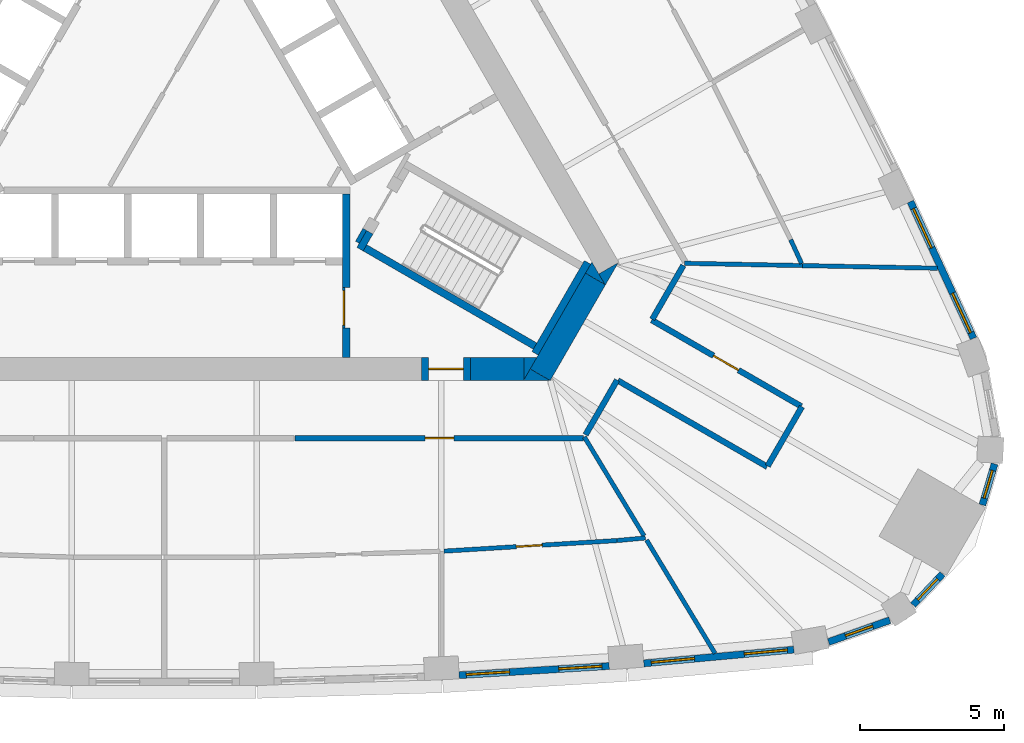
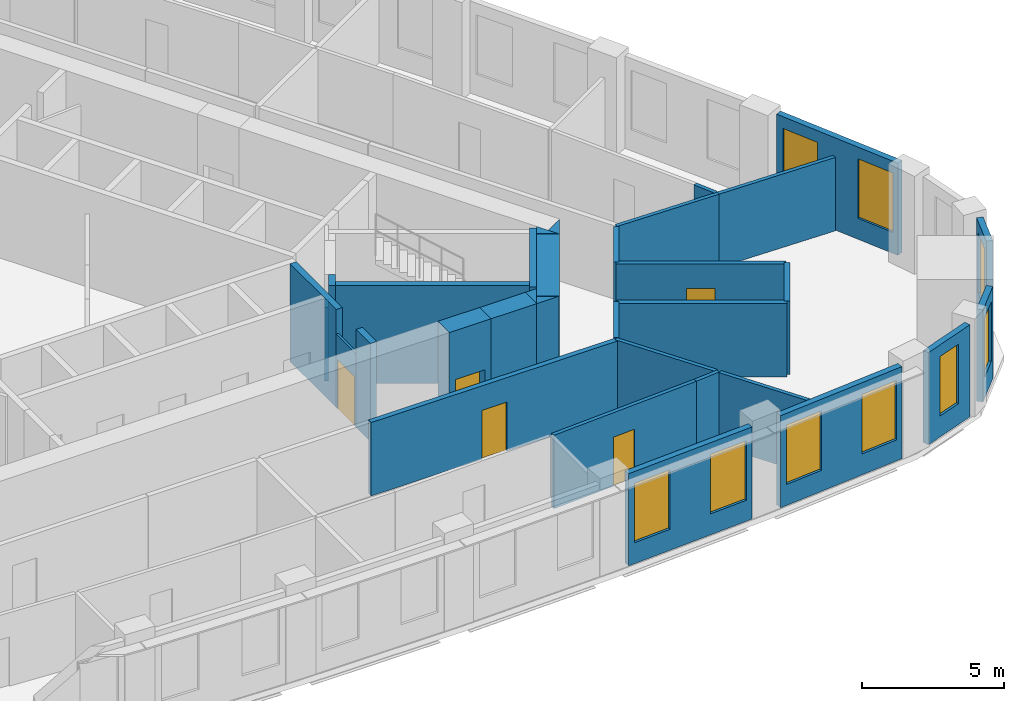
# One storey, part 6 of 10: 33 walls, 9 windows, 5 doors, 14 openings.
"""IFC4 building model written with IfcOpenShell, lengths in metres."""

from ifc_helpers import new_model, si_unit, direction, frame, frame_2d, origin, place, context, subcontext, project, spatial, polyline, rectangle, outline, extrude, material, layer, layer_set, type_object, element, fill, save


model = new_model("IFC4")

# Units and contexts
model_context = context("Model", 3, precision=1e-05, world=origin(), true_north=direction((0.0, 1.0)))
body_context = subcontext(model_context, "Body", "Model", "MODEL_VIEW")
ifc_project = project(units=[si_unit("LENGTHUNIT", "METRE"), si_unit("AREAUNIT", "SQUARE_METRE"), si_unit("VOLUMEUNIT", "CUBIC_METRE"), si_unit("PLANEANGLEUNIT", "RADIAN"), si_unit("MASSUNIT", "GRAM", prefix="KILO")], contexts=[model_context])

# Site, building, storey
site_placement = place(None, origin())
site = spatial("IfcSite", under=ifc_project, at=site_placement, CompositionType="ELEMENT")
building_placement = place(site_placement, origin())
building = spatial("IfcBuilding", under=site, at=building_placement, Name="Mestral Congress Tower", CompositionType="ELEMENT")
storey_placement = place(building_placement, frame((0.0, 0.0, 154.199951171875)))
storey = spatial("IfcBuildingStorey", under=building, at=storey_placement, Name="L36", CompositionType="ELEMENT", Elevation=154.199951171875)

# Wall
ifc_material_1 = material(Name="Fire-rated board partition")
ifc_layer_1 = layer(ifc_material_1, 0.14990234375)
ifc_layer_set_1 = layer_set([ifc_layer_1], Name="Fire-rated board partition")
wall_type_1 = type_object("IfcWallType", Name="Core partition 150", PredefinedType="PARTITIONING", material=ifc_layer_set_1)
wall_1_placement = place(storey_placement, frame((6.94482421875, -5.22216796875, 0.0), z_axis=(0.0, 0.0, 1.0), x_axis=(-0.499818422106, -0.866130212453, 0.0)))
element("IfcWall", 1, at=wall_1_placement, inside=storey, type_object=wall_type_1, Name="L36 core wall", PredefinedType="PARTITIONING", context=body_context, shape_type="SweptSolid", body=[
    extrude(rectangle(XDim=0.513916015625, YDim=0.14990234375, at=frame_2d((0.2568359375, 0.0))), origin(), (0.0, 0.0, 1.0), 3.150146484375),
])

# Wall, opening, door
ifc_layer_2 = layer(ifc_material_1, 0.090087890625)
ifc_layer_set_2 = layer_set([ifc_layer_2], Name="Fire-rated board partition")
wall_type_2 = type_object("IfcWallType", Name="Core partition 150 door-wall 90", PredefinedType="PARTITIONING", material=ifc_layer_set_2)
wall_2_placement = place(storey_placement, frame((6.219970703125, -7.23681640625, 0.0), z_axis=(0.0, 0.0, 1.0), x_axis=(0.0, -1.0, 0.0)))
wall_2 = element("IfcWall", 2, at=wall_2_placement, inside=storey, type_object=wall_type_2, Name="L36 door wall", PredefinedType="PARTITIONING", context=body_context, shape_type="SweptSolid", body=[
    extrude(rectangle(XDim=1.400146484375, YDim=0.090087890625, at=frame_2d((0.7001953125, 0.0))), origin(), (0.0, 0.0, 1.0), 3.150146484375),
])
opening_1_placement = place(wall_2_placement, frame((0.10009765625, 0.0, 0.0)))
opening_1 = element("IfcOpeningElement", 3, at=opening_1_placement, cuts=wall_2, Name="Opening LB0-WL1", PredefinedType="OPENING", context=body_context, shape_type="SweptSolid", body=[
    extrude(rectangle(XDim=1.199951171875, YDim=2.10009765625, at=frame_2d((0.60009765625, 1.050048828125))), frame((0.0, 0.054931640625, 0.0), z_axis=(0.0, -1.0, 0.0), x_axis=(1.0, 0.0, 0.0)), (0.0, 0.0, 1.0), 0.110107421875),
])
ifc_material_2 = material(Name="Fire-rated steel door set", Category="steel")
door_type_1 = type_object("IfcDoorType", Name="Core door LB 1200x2100", OperationType="SINGLE_SWING_LEFT", PredefinedType="DOOR", material=ifc_material_2)
door_1_placement = place(opening_1_placement, origin())
door_1 = element("IfcDoor", 4, at=door_1_placement, inside=storey, type_object=door_type_1, Name="Door LB0-WL1", OperationType="SINGLE_SWING_LEFT", OverallHeight=2.10009765625, OverallWidth=1.199951171875, PredefinedType="DOOR", context=body_context, shape_type="SweptSolid", body=[
    extrude(rectangle(XDim=1.199951171875, YDim=2.10009765625, at=frame_2d((0.60009765625, 1.050048828125))), frame((0.0, 0.02490234375, 0.0), z_axis=(0.0, -1.0, 0.0), x_axis=(1.0, 0.0, 0.0)), (0.0, 0.0, 1.0), 0.050048828125),
])
fill(opening_1, door_1)

# Walls
ifc_material_3 = material(Name="Concrete C60/75", Category="concrete")
ifc_layer_3 = layer(ifc_material_3, 0.800048828125)
ifc_layer_set_3 = layer_set([ifc_layer_3], Name="Concrete C60/75")
wall_type_3 = type_object("IfcWallType", Name="Core wall RC 800", PredefinedType="SOLIDWALL", material=ifc_layer_set_3)
placement = place(storey_placement, origin())
element("IfcWall", 5, at=placement, inside=storey, type_object=wall_type_3, Name="L36 core wall", PredefinedType="SOLIDWALL", context=body_context, shape_type="SweptSolid", body=[
    extrude(outline(polyline([(15.27099609375, -7.14990234375), (15.046875, -6.761962890625), (15.718994140625, -6.3740234375), (15.27099609375, -7.14990234375)])), origin(), (0.0, 0.0, 1.0), 4.199951171875),
])
wall_4_placement = place(storey_placement, frame((13.018310546875, -10.251708984375, 0.0), z_axis=(0.0, 0.0, 1.0), x_axis=(0.499984020225, 0.866034629516, 0.0)))
element("IfcWall", 6, at=wall_4_placement, inside=storey, type_object=wall_type_3, Name="L36 core wall", PredefinedType="SOLIDWALL", context=body_context, shape_type="SweptSolid", body=[
    extrude(rectangle(XDim=3.824462890625, YDim=0.800048828125, at=frame_2d((1.912109375, 0.0))), origin(), (0.0, 0.0, 1.0), 4.199951171875),
])
element("IfcWall", 7, at=placement, inside=storey, type_object=wall_type_3, Name="L36 core wall", PredefinedType="SOLIDWALL", context=body_context, shape_type="SweptSolid", body=[
    extrude(outline(polyline([(12.44189453125, -10.449951171875), (12.6708984375, -10.053466796875), (13.35791015625, -10.449951171875), (12.44189453125, -10.449951171875)])), origin(), (0.0, 0.0, 1.0), 4.199951171875),
])
element("IfcWall", 8, at=placement, inside=storey, type_object=wall_type_3, Name="L36 core wall", PredefinedType="SOLIDWALL", context=body_context, shape_type="SweptSolid", body=[
    extrude(outline(polyline([(14.80908203125, -6.35009765625), (15.257080078125, -7.1259765625), (14.5849609375, -6.738037109375), (14.80908203125, -6.35009765625)])), origin(), (0.0, 0.0, 1.0), 4.199951171875),
])
wall_7_placement = place(storey_placement, frame((10.6044921875, -10.050048828125, 0.0), z_axis=(0.0, 0.0, 1.0), x_axis=(1.0, 0.0, 0.0)))
element("IfcWall", 9, at=wall_7_placement, inside=storey, type_object=wall_type_3, Name="L36 core wall", PredefinedType="SOLIDWALL", context=body_context, shape_type="SweptSolid", body=[
    extrude(rectangle(XDim=1.849365234375, YDim=0.800048828125, at=frame_2d((0.9248046875, 0.0))), origin(), (0.0, 0.0, 1.0), 4.199951171875),
])
element("IfcWall", 10, at=placement, inside=storey, type_object=wall_type_3, Name="L36 core wall", PredefinedType="SOLIDWALL", context=body_context, shape_type="SweptSolid", body=[
    extrude(outline(polyline([(12.90380859375, -9.64990234375), (12.455810546875, -10.42578125), (12.455810546875, -9.64990234375), (12.90380859375, -9.64990234375)])), origin(), (0.0, 0.0, 1.0), 4.199951171875),
])

# Wall, opening, door
wall_9_placement = place(storey_placement, frame((10.6044921875, -10.050048828125, 0.0), z_axis=(0.0, 0.0, 1.0), x_axis=(-1.0, 0.0, 0.0)))
wall_9 = element("IfcWall", 11, at=wall_9_placement, inside=storey, type_object=wall_type_3, Name="L36 door wall", PredefinedType="SOLIDWALL", context=body_context, shape_type="SweptSolid", body=[
    extrude(rectangle(XDim=1.699951171875, YDim=0.800048828125, at=frame_2d((0.85009765625, 0.0))), origin(), (0.0, 0.0, 1.0), 4.199951171875),
])
opening_2_placement = place(wall_9_placement, frame((0.25, 0.0, 0.0)))
opening_2 = element("IfcOpeningElement", 12, at=opening_2_placement, cuts=wall_9, Name="Opening XD1", PredefinedType="OPENING", context=body_context, shape_type="SweptSolid", body=[
    extrude(rectangle(XDim=1.199951171875, YDim=2.10009765625, at=frame_2d((0.60009765625, 1.050048828125))), frame((0.0, 0.409912109375, 0.0), z_axis=(0.0, -1.0, 0.0), x_axis=(1.0, 0.0, 0.0)), (0.0, 0.0, 1.0), 0.820068359375),
])
door_type_2 = type_object("IfcDoorType", Name="Core door XD 1200x2100", OperationType="SINGLE_SWING_LEFT", PredefinedType="DOOR", material=ifc_material_2)
door_2_placement = place(opening_2_placement, origin())
door_2 = element("IfcDoor", 13, at=door_2_placement, inside=storey, type_object=door_type_2, Name="Door XD1", OperationType="SINGLE_SWING_LEFT", OverallHeight=2.10009765625, OverallWidth=1.199951171875, PredefinedType="DOOR", context=body_context, shape_type="SweptSolid", body=[
    extrude(rectangle(XDim=1.199951171875, YDim=2.10009765625, at=frame_2d((0.60009765625, 1.050048828125))), frame((0.0, 0.02490234375, 0.0), z_axis=(0.0, -1.0, 0.0), x_axis=(1.0, 0.0, 0.0)), (0.0, 0.0, 1.0), 0.050048828125),
])
fill(opening_2, door_2)

# Wall, openings, windows
ifc_material_4 = material(Name="Precast concrete C40/50 with limestone facing", Category="masonry")
ifc_layer_4 = layer(ifc_material_4, 0.239990234375)
ifc_layer_set_4 = layer_set([ifc_layer_4], Name="Precast concrete C40/50 with limestone facing")
wall_type_4 = type_object("IfcWallType", Name="Facade stone wall 240", PredefinedType="SOLIDWALL", material=ifc_layer_set_4)
wall_10_placement = place(storey_placement, frame((10.210693359375, -20.656005859375, 0.0), z_axis=(0.0, 0.0, 1.0), x_axis=(0.998135294646, 0.061040425794, 0.0)))
wall_10 = element("IfcWall", 14, at=wall_10_placement, inside=storey, type_object=wall_type_4, Name="Facade wall F0-05", PredefinedType="SOLIDWALL", context=body_context, shape_type="SweptSolid", body=[
    extrude(rectangle(XDim=5.20361328125, YDim=0.239990234375, at=frame_2d((2.601806640625, 0.0))), origin(), (0.0, 0.0, 1.0), 3.949951171875),
])
opening_3_placement = place(wall_10_placement, frame((0.248291015625, 0.0, 0.89990234375)))
opening_3 = element("IfcOpeningElement", 15, at=opening_3_placement, cuts=wall_10, Name="Opening W4", PredefinedType="OPENING", context=body_context, shape_type="SweptSolid", body=[
    extrude(rectangle(XDim=1.5, YDim=2.550048828125, at=frame_2d((0.75, 1.27490234375))), frame((0.0, 0.1298828125, 0.0), z_axis=(0.0, -1.0, 0.0), x_axis=(1.0, 0.0, 0.0)), (0.0, 0.0, 1.0), 0.260009765625),
])
opening_4_placement = place(wall_10_placement, frame((3.455078125, 0.0, 0.89990234375)))
opening_4 = element("IfcOpeningElement", 16, at=opening_4_placement, cuts=wall_10, Name="Opening W4", PredefinedType="OPENING", context=body_context, shape_type="SweptSolid", body=[
    extrude(rectangle(XDim=1.5, YDim=2.550048828125, at=frame_2d((0.75, 1.27490234375))), frame((0.0, 0.1298828125, 0.0), z_axis=(0.0, -1.0, 0.0), x_axis=(1.0, 0.0, 0.0)), (0.0, 0.0, 1.0), 0.260009765625),
])
ifc_material_5 = material(Name="Clear low-emissivity double glazing", Category="glass")
window_type_1 = type_object("IfcWindowType", Name="Facade punched window 1500 x 2550 sill 900", PartitioningType="SINGLE_PANEL", PredefinedType="WINDOW", material=ifc_material_5)
window_1_placement = place(opening_3_placement, origin())
window_1 = element("IfcWindow", 17, at=window_1_placement, inside=storey, type_object=window_type_1, Name="Window F0-05a", OverallHeight=2.550048828125, OverallWidth=1.5, PartitioningType="SINGLE_PANEL", PredefinedType="WINDOW", context=body_context, shape_type="SweptSolid", body=[
    extrude(rectangle(XDim=1.5, YDim=2.550048828125, at=frame_2d((0.75, 1.27490234375))), frame((0.0, 0.0400390625, 0.0), z_axis=(0.0, -1.0, 0.0), x_axis=(1.0, 0.0, 0.0)), (0.0, 0.0, 1.0), 0.06005859375),
])
fill(opening_3, window_1)
window_2_placement = place(opening_4_placement, origin())
window_2 = element("IfcWindow", 18, at=window_2_placement, inside=storey, type_object=window_type_1, Name="Window F0-05b", OverallHeight=2.550048828125, OverallWidth=1.5, PartitioningType="SINGLE_PANEL", PredefinedType="WINDOW", context=body_context, shape_type="SweptSolid", body=[
    extrude(rectangle(XDim=1.5, YDim=2.550048828125, at=frame_2d((0.75, 1.27490234375))), frame((0.0, 0.0400390625, 0.0), z_axis=(0.0, -1.0, 0.0), x_axis=(1.0, 0.0, 0.0)), (0.0, 0.0, 1.0), 0.06005859375),
])
fill(opening_4, window_2)

wall_11_placement = place(storey_placement, frame((16.605712890625, -20.24658203125, 0.0), z_axis=(0.0, 0.0, 1.0), x_axis=(0.995808712151, 0.091460422067, 0.0)))
wall_11 = element("IfcWall", 19, at=wall_11_placement, inside=storey, type_object=wall_type_4, Name="Facade wall F0-06", PredefinedType="SOLIDWALL", context=body_context, shape_type="SweptSolid", body=[
    extrude(rectangle(XDim=5.213134765625, YDim=0.239990234375, at=frame_2d((2.6064453125, 0.0))), origin(), (0.0, 0.0, 1.0), 3.949951171875),
])
opening_5_placement = place(wall_11_placement, frame((0.2607421875, 0.0, 0.89990234375)))
opening_5 = element("IfcOpeningElement", 20, at=opening_5_placement, cuts=wall_11, Name="Opening W4", PredefinedType="OPENING", context=body_context, shape_type="SweptSolid", body=[
    extrude(rectangle(XDim=1.5, YDim=2.550048828125, at=frame_2d((0.75, 1.27490234375))), frame((0.0, 0.1298828125, 0.0), z_axis=(0.0, -1.0, 0.0), x_axis=(1.0, 0.0, 0.0)), (0.0, 0.0, 1.0), 0.260009765625),
])
opening_6_placement = place(wall_11_placement, frame((3.492431640625, 0.0, 0.89990234375)))
opening_6 = element("IfcOpeningElement", 21, at=opening_6_placement, cuts=wall_11, Name="Opening W4", PredefinedType="OPENING", context=body_context, shape_type="SweptSolid", body=[
    extrude(rectangle(XDim=1.5, YDim=2.550048828125, at=frame_2d((0.75, 1.27490234375))), frame((0.0, 0.1298828125, 0.0), z_axis=(0.0, -1.0, 0.0), x_axis=(1.0, 0.0, 0.0)), (0.0, 0.0, 1.0), 0.260009765625),
])
window_3_placement = place(opening_5_placement, origin())
window_3 = element("IfcWindow", 22, at=window_3_placement, inside=storey, type_object=window_type_1, Name="Window F0-06a", OverallHeight=2.550048828125, OverallWidth=1.5, PartitioningType="SINGLE_PANEL", PredefinedType="WINDOW", context=body_context, shape_type="SweptSolid", body=[
    extrude(rectangle(XDim=1.5, YDim=2.550048828125, at=frame_2d((0.75, 1.27490234375))), frame((0.0, 0.0400390625, 0.0), z_axis=(0.0, -1.0, 0.0), x_axis=(1.0, 0.0, 0.0)), (0.0, 0.0, 1.0), 0.06005859375),
])
fill(opening_5, window_3)
window_4_placement = place(opening_6_placement, origin())
window_4 = element("IfcWindow", 23, at=window_4_placement, inside=storey, type_object=window_type_1, Name="Window F0-06b", OverallHeight=2.550048828125, OverallWidth=1.5, PartitioningType="SINGLE_PANEL", PredefinedType="WINDOW", context=body_context, shape_type="SweptSolid", body=[
    extrude(rectangle(XDim=1.5, YDim=2.550048828125, at=frame_2d((0.75, 1.27490234375))), frame((0.0, 0.0400390625, 0.0), z_axis=(0.0, -1.0, 0.0), x_axis=(1.0, 0.0, 0.0)), (0.0, 0.0, 1.0), 0.06005859375),
])
fill(opening_6, window_4)

# Wall, opening, window
wall_12_placement = place(storey_placement, frame((23.0009765625, -19.50537109375, 0.0), z_axis=(0.0, 0.0, 1.0), x_axis=(0.942099727267, 0.335332825539, 0.0)))
wall_12 = element("IfcWall", 24, at=wall_12_placement, inside=storey, type_object=wall_type_4, Name="Facade wall K0-0", PredefinedType="SOLIDWALL", context=body_context, shape_type="SweptSolid", body=[
    extrude(rectangle(XDim=2.25048828125, YDim=0.239990234375, at=frame_2d((1.125244140625, 0.0))), origin(), (0.0, 0.0, 1.0), 3.949951171875),
])
opening_7_placement = place(wall_12_placement, frame((0.625244140625, 0.0, 0.89990234375)))
opening_7 = element("IfcOpeningElement", 25, at=opening_7_placement, cuts=wall_12, Name="Opening W5", PredefinedType="OPENING", context=body_context, shape_type="SweptSolid", body=[
    extrude(rectangle(XDim=1.0, YDim=2.550048828125, at=frame_2d((0.5, 1.27490234375))), frame((0.0, 0.1298828125, 0.0), z_axis=(0.0, -1.0, 0.0), x_axis=(1.0, 0.0, 0.0)), (0.0, 0.0, 1.0), 0.260009765625),
])
window_type_2 = type_object("IfcWindowType", Name="Facade punched window 1000 x 2550 sill 900", PartitioningType="SINGLE_PANEL", PredefinedType="WINDOW", material=ifc_material_5)
window_5_placement = place(opening_7_placement, origin())
window_5 = element("IfcWindow", 26, at=window_5_placement, inside=storey, type_object=window_type_2, Name="Window K0-0", OverallHeight=2.550048828125, OverallWidth=1.0, PartitioningType="SINGLE_PANEL", PredefinedType="WINDOW", context=body_context, shape_type="SweptSolid", body=[
    extrude(rectangle(XDim=1.0, YDim=2.550048828125, at=frame_2d((0.5, 1.27490234375))), frame((0.0, 0.0400390625, 0.0), z_axis=(0.0, -1.0, 0.0), x_axis=(1.0, 0.0, 0.0)), (0.0, 0.0, 1.0), 0.06005859375),
])
fill(opening_7, window_5)

wall_13_placement = place(storey_placement, frame((25.9267578125, -18.226318359375, 0.0), z_axis=(0.0, 0.0, 1.0), x_axis=(0.687986858937, 0.725723144133, 0.0)))
wall_13 = element("IfcWall", 27, at=wall_13_placement, inside=storey, type_object=wall_type_4, Name="Facade wall K0-1", PredefinedType="SOLIDWALL", context=body_context, shape_type="SweptSolid", body=[
    extrude(rectangle(XDim=1.4814453125, YDim=0.239990234375, at=frame_2d((0.74072265625, 0.0))), origin(), (0.0, 0.0, 1.0), 3.949951171875),
])
opening_8_placement = place(wall_13_placement, frame((0.24072265625, 0.0, 0.89990234375)))
opening_8 = element("IfcOpeningElement", 28, at=opening_8_placement, cuts=wall_13, Name="Opening W5", PredefinedType="OPENING", context=body_context, shape_type="SweptSolid", body=[
    extrude(rectangle(XDim=1.0, YDim=2.550048828125, at=frame_2d((0.5, 1.27490234375))), frame((0.0, 0.1298828125, 0.0), z_axis=(0.0, -1.0, 0.0), x_axis=(1.0, 0.0, 0.0)), (0.0, 0.0, 1.0), 0.260009765625),
])
window_6_placement = place(opening_8_placement, origin())
window_6 = element("IfcWindow", 29, at=window_6_placement, inside=storey, type_object=window_type_2, Name="Window K0-1", OverallHeight=2.550048828125, OverallWidth=1.0, PartitioningType="SINGLE_PANEL", PredefinedType="WINDOW", context=body_context, shape_type="SweptSolid", body=[
    extrude(rectangle(XDim=1.0, YDim=2.550048828125, at=frame_2d((0.5, 1.27490234375))), frame((0.0, 0.0400390625, 0.0), z_axis=(0.0, -1.0, 0.0), x_axis=(1.0, 0.0, 0.0)), (0.0, 0.0, 1.0), 0.06005859375),
])
fill(opening_8, window_6)

wall_14_placement = place(storey_placement, frame((28.326416015625, -14.760498046875, 0.0), z_axis=(0.0, 0.0, 1.0), x_axis=(0.284413721403, 0.958701640281, 0.0)))
wall_14 = element("IfcWall", 30, at=wall_14_placement, inside=storey, type_object=wall_type_4, Name="Facade wall K0-2", PredefinedType="SOLIDWALL", context=body_context, shape_type="SweptSolid", body=[
    extrude(rectangle(XDim=1.481689453125, YDim=0.239990234375, at=frame_2d((0.74072265625, 0.0))), origin(), (0.0, 0.0, 1.0), 3.949951171875),
])
opening_9_placement = place(wall_14_placement, frame((0.24072265625, 0.0, 0.89990234375)))
opening_9 = element("IfcOpeningElement", 31, at=opening_9_placement, cuts=wall_14, Name="Opening W5", PredefinedType="OPENING", context=body_context, shape_type="SweptSolid", body=[
    extrude(rectangle(XDim=1.0, YDim=2.550048828125, at=frame_2d((0.5, 1.27490234375))), frame((0.0, 0.1298828125, 0.0), z_axis=(0.0, -1.0, 0.0), x_axis=(1.0, 0.0, 0.0)), (0.0, 0.0, 1.0), 0.260009765625),
])
window_7_placement = place(opening_9_placement, origin())
window_7 = element("IfcWindow", 32, at=window_7_placement, inside=storey, type_object=window_type_2, Name="Window K0-2", OverallHeight=2.550048828125, OverallWidth=1.0, PartitioningType="SINGLE_PANEL", PredefinedType="WINDOW", context=body_context, shape_type="SweptSolid", body=[
    extrude(rectangle(XDim=1.0, YDim=2.550048828125, at=frame_2d((0.5, 1.27490234375))), frame((0.0, 0.0400390625, 0.0), z_axis=(0.0, -1.0, 0.0), x_axis=(1.0, 0.0, 0.0)), (0.0, 0.0, 1.0), 0.06005859375),
])
fill(opening_9, window_7)

# Wall, openings, windows
wall_15_placement = place(storey_placement, frame((28.019775390625, -8.991943359375, 0.0), z_axis=(0.0, 0.0, 1.0), x_axis=(-0.418722559465, 0.908114209885, 0.0)))
wall_15 = element("IfcWall", 33, at=wall_15_placement, inside=storey, type_object=wall_type_4, Name="Facade wall F1-00", PredefinedType="SOLIDWALL", context=body_context, shape_type="SweptSolid", body=[
    extrude(rectangle(XDim=5.213134765625, YDim=0.239990234375, at=frame_2d((2.6064453125, 0.0))), origin(), (0.0, 0.0, 1.0), 3.949951171875),
])
opening_10_placement = place(wall_15_placement, frame((0.220947265625, 0.0, 0.89990234375)))
opening_10 = element("IfcOpeningElement", 34, at=opening_10_placement, cuts=wall_15, Name="Opening W4", PredefinedType="OPENING", context=body_context, shape_type="SweptSolid", body=[
    extrude(rectangle(XDim=1.5, YDim=2.550048828125, at=frame_2d((0.75, 1.27490234375))), frame((0.0, 0.1298828125, 0.0), z_axis=(0.0, -1.0, 0.0), x_axis=(1.0, 0.0, 0.0)), (0.0, 0.0, 1.0), 0.260009765625),
])
opening_11_placement = place(wall_15_placement, frame((3.452392578125, 0.0, 0.89990234375)))
opening_11 = element("IfcOpeningElement", 35, at=opening_11_placement, cuts=wall_15, Name="Opening W4", PredefinedType="OPENING", context=body_context, shape_type="SweptSolid", body=[
    extrude(rectangle(XDim=1.5, YDim=2.550048828125, at=frame_2d((0.75, 1.27490234375))), frame((0.0, 0.1298828125, 0.0), z_axis=(0.0, -1.0, 0.0), x_axis=(1.0, 0.0, 0.0)), (0.0, 0.0, 1.0), 0.260009765625),
])
window_8_placement = place(opening_10_placement, origin())
window_8 = element("IfcWindow", 36, at=window_8_placement, inside=storey, type_object=window_type_1, Name="Window F1-00a", OverallHeight=2.550048828125, OverallWidth=1.5, PartitioningType="SINGLE_PANEL", PredefinedType="WINDOW", context=body_context, shape_type="SweptSolid", body=[
    extrude(rectangle(XDim=1.5, YDim=2.550048828125, at=frame_2d((0.75, 1.27490234375))), frame((0.0, 0.0400390625, 0.0), z_axis=(0.0, -1.0, 0.0), x_axis=(1.0, 0.0, 0.0)), (0.0, 0.0, 1.0), 0.06005859375),
])
fill(opening_10, window_8)
window_9_placement = place(opening_11_placement, origin())
window_9 = element("IfcWindow", 37, at=window_9_placement, inside=storey, type_object=window_type_1, Name="Window F1-00b", OverallHeight=2.550048828125, OverallWidth=1.5, PartitioningType="SINGLE_PANEL", PredefinedType="WINDOW", context=body_context, shape_type="SweptSolid", body=[
    extrude(rectangle(XDim=1.5, YDim=2.550048828125, at=frame_2d((0.75, 1.27490234375))), frame((0.0, 0.0400390625, 0.0), z_axis=(0.0, -1.0, 0.0), x_axis=(1.0, 0.0, 0.0)), (0.0, 0.0, 1.0), 0.06005859375),
])
fill(opening_11, window_9)

# Wall, opening, door
ifc_material_6 = material(Name="Plasterboard partition on steel studs", Category="steel")
ifc_layer_5 = layer(ifc_material_6, 0.14990234375)
ifc_layer_set_5 = layer_set([ifc_layer_5], Name="Plasterboard partition on steel studs")
wall_type_5 = type_object("IfcWallType", Name="Office partition 150", PredefinedType="PARTITIONING", material=ifc_layer_set_5)
wall_16_placement = place(storey_placement, frame((15.676513671875, -15.99365234375, 0.0), z_axis=(0.0, 0.0, 1.0), x_axis=(-0.998135339661, -0.061039689709, 0.0)))
wall_16 = element("IfcWall", 38, at=wall_16_placement, inside=storey, type_object=wall_type_5, Name="Partition", PredefinedType="PARTITIONING", context=body_context, shape_type="SweptSolid", body=[
    extrude(rectangle(XDim=5.99560546875, YDim=0.14990234375, at=frame_2d((2.997802734375, 0.0))), origin(), (0.0, 0.0, 1.0), 3.150146484375),
])
opening_12_placement = place(wall_16_placement, frame((2.595458984375, 0.0, 0.0)))
opening_12 = element("IfcOpeningElement", 39, at=opening_12_placement, cuts=wall_16, Name="Opening O02-002", PredefinedType="OPENING", context=body_context, shape_type="SweptSolid", body=[
    extrude(rectangle(XDim=0.89990234375, YDim=2.10009765625, at=frame_2d((0.449951171875, 1.050048828125))), frame((0.0, 0.0849609375, 0.0), z_axis=(0.0, -1.0, 0.0), x_axis=(1.0, 0.0, 0.0)), (0.0, 0.0, 1.0), 0.169921875),
])
ifc_material_7 = material(Name="Timber door set", Category="wood")
door_type_3 = type_object("IfcDoorType", Name="Office door 900x2100", OperationType="SINGLE_SWING_LEFT", PredefinedType="DOOR", material=ifc_material_7)
door_3_placement = place(opening_12_placement, origin())
door_3 = element("IfcDoor", 40, at=door_3_placement, inside=storey, type_object=door_type_3, Name="Door O02-002", OperationType="SINGLE_SWING_RIGHT", OverallHeight=2.10009765625, OverallWidth=0.89990234375, PredefinedType="DOOR", context=body_context, shape_type="SweptSolid", body=[
    extrude(rectangle(XDim=0.89990234375, YDim=2.10009765625, at=frame_2d((0.449951171875, 1.050048828125))), frame((0.0, 0.02490234375, 0.0), z_axis=(0.0, -1.0, 0.0), x_axis=(1.0, 0.0, 0.0)), (0.0, 0.0, 1.0), 0.050048828125),
])
fill(opening_12, door_3)

# Walls
wall_17_placement = place(storey_placement, frame((15.676513671875, -15.99365234375, 0.0), z_axis=(0.0, 0.0, 1.0), x_axis=(0.995813637999, 0.091406774234, 0.0)))
element("IfcWall", 41, at=wall_17_placement, inside=storey, type_object=wall_type_5, Name="Partition", PredefinedType="PARTITIONING", context=body_context, shape_type="SweptSolid", body=[
    extrude(rectangle(XDim=0.985595703125, YDim=0.14990234375, at=frame_2d((0.49267578125, 0.0))), origin(), (0.0, 0.0, 1.0), 3.150146484375),
])
wall_18_placement = place(storey_placement, frame((16.700927734375, -15.974853515625, 0.0), z_axis=(0.0, 0.0, 1.0), x_axis=(0.516819763142, -0.856094231043, 0.0)))
element("IfcWall", 42, at=wall_18_placement, inside=storey, type_object=wall_type_5, Name="Partition", PredefinedType="PARTITIONING", context=body_context, shape_type="SweptSolid", body=[
    extrude(rectangle(XDim=4.58447265625, YDim=0.14990234375, at=frame_2d((2.292236328125, 0.0))), origin(), (0.0, 0.0, 1.0), 3.150146484375),
])
wall_19_placement = place(storey_placement, frame((14.546142578125, -12.405517578125, 0.0), z_axis=(0.0, 0.0, 1.0), x_axis=(0.516843798305, -0.856079720676, 0.0)))
element("IfcWall", 43, at=wall_19_placement, inside=storey, type_object=wall_type_5, Name="Partition", PredefinedType="PARTITIONING", context=body_context, shape_type="SweptSolid", body=[
    extrude(rectangle(XDim=4.0029296875, YDim=0.14990234375, at=frame_2d((2.00146484375, 0.0))), origin(), (0.0, 0.0, 1.0), 3.150146484375),
])
wall_20_placement = place(storey_placement, frame((22.097412109375, -6.474365234375, 0.0), z_axis=(0.0, 0.0, 1.0), x_axis=(0.999810044283, -0.019490391268, 0.0)))
element("IfcWall", 44, at=wall_20_placement, inside=storey, type_object=wall_type_5, Name="Partition", PredefinedType="PARTITIONING", context=body_context, shape_type="SweptSolid", body=[
    extrude(rectangle(XDim=4.67236328125, YDim=0.14990234375, at=frame_2d((2.336181640625, 0.0))), origin(), (0.0, 0.0, 1.0), 3.150146484375),
])
wall_21_placement = place(storey_placement, frame((18.016357421875, -6.39453125, 0.0), z_axis=(0.0, 0.0, 1.0), x_axis=(0.999808348885, -0.019577167837, 0.0)))
element("IfcWall", 45, at=wall_21_placement, inside=storey, type_object=wall_type_5, Name="Partition", PredefinedType="PARTITIONING", context=body_context, shape_type="SweptSolid", body=[
    extrude(rectangle(XDim=4.09033203125, YDim=0.14990234375, at=frame_2d((2.045166015625, 0.0))), origin(), (0.0, 0.0, 1.0), 3.150146484375),
])
wall_22_placement = place(storey_placement, frame((22.06689453125, -6.398681640625, 0.0), z_axis=(0.0, 0.0, 1.0), x_axis=(-0.418629119493, 0.908157288311, 0.0)))
element("IfcWall", 46, at=wall_22_placement, inside=storey, type_object=wall_type_5, Name="Partition", PredefinedType="PARTITIONING", context=body_context, shape_type="SweptSolid", body=[
    extrude(rectangle(XDim=0.902099609375, YDim=0.14990234375, at=frame_2d((0.451171875, 0.0))), origin(), (0.0, 0.0, 1.0), 3.150146484375),
])

# Wall, opening, door
ifc_material_8 = material(Name="Dense masonry wall, plastered", Category="masonry")
ifc_layer_6 = layer(ifc_material_8, 0.199951171875)
ifc_layer_set_6 = layer_set([ifc_layer_6], Name="Dense masonry wall, plastered")
wall_type_6 = type_object("IfcWallType", Name="Office tenancy wall 200", PredefinedType="PARTITIONING", material=ifc_layer_set_6)
wall_23_placement = place(storey_placement, frame((4.530029296875, -12.449951171875, 0.0), z_axis=(0.0, 0.0, 1.0), x_axis=(1.0, 0.0, 0.0)))
wall_23 = element("IfcWall", 47, at=wall_23_placement, inside=storey, type_object=wall_type_6, Name="Tenancy wall", PredefinedType="PARTITIONING", context=body_context, shape_type="SweptSolid", body=[
    extrude(rectangle(XDim=9.990478515625, YDim=0.199951171875, at=frame_2d((4.9951171875, 0.0))), origin(), (0.0, 0.0, 1.0), 3.150146484375),
])
opening_13_placement = place(wall_23_placement, frame((4.5, 0.0, 0.0)))
opening_13 = element("IfcOpeningElement", 48, at=opening_13_placement, cuts=wall_23, Name="Opening O02-003", PredefinedType="OPENING", context=body_context, shape_type="SweptSolid", body=[
    extrude(rectangle(XDim=1.0, YDim=2.10009765625, at=frame_2d((0.5, 1.050048828125))), frame((0.0, 0.10986328125, 0.0), z_axis=(0.0, -1.0, 0.0), x_axis=(1.0, 0.0, 0.0)), (0.0, 0.0, 1.0), 0.219970703125),
])
ifc_material_9 = material(Name="Fire-rated timber door set", Category="wood")
door_type_4 = type_object("IfcDoorType", Name="Office tenancy entrance door 1000x2100", OperationType="SINGLE_SWING_LEFT", PredefinedType="DOOR", material=ifc_material_9)
door_4_placement = place(opening_13_placement, origin())
door_4 = element("IfcDoor", 49, at=door_4_placement, inside=storey, type_object=door_type_4, Name="Door O02-003", OperationType="SINGLE_SWING_RIGHT", OverallHeight=2.10009765625, OverallWidth=1.0, PredefinedType="DOOR", context=body_context, shape_type="SweptSolid", body=[
    extrude(rectangle(XDim=1.0, YDim=2.10009765625, at=frame_2d((0.5, 1.050048828125))), frame((0.0, 0.02490234375, 0.0), z_axis=(0.0, -1.0, 0.0), x_axis=(1.0, 0.0, 0.0)), (0.0, 0.0, 1.0), 0.050048828125),
])
fill(opening_13, door_4)

# Walls
wall_24_placement = place(storey_placement, frame((14.5888671875, -12.331298828125, 0.0), z_axis=(0.0, 0.0, 1.0), x_axis=(0.500044870432, 0.865999496279, 0.0)))
element("IfcWall", 50, at=wall_24_placement, inside=storey, type_object=wall_type_6, Name="Tenancy wall", PredefinedType="PARTITIONING", context=body_context, shape_type="SweptSolid", body=[
    extrude(rectangle(XDim=2.184814453125, YDim=0.199951171875, at=frame_2d((1.09228515625, 0.0))), origin(), (0.0, 0.0, 1.0), 3.150146484375),
])
wall_25_placement = place(storey_placement, frame((15.707275390625, -10.4541015625, 0.0), z_axis=(0.0, 0.0, 1.0), x_axis=(0.866017375886, -0.50001390447, 0.0)))
element("IfcWall", 51, at=wall_25_placement, inside=storey, type_object=wall_type_6, Name="Tenancy wall", PredefinedType="PARTITIONING", context=body_context, shape_type="SweptSolid", body=[
    extrude(rectangle(XDim=5.969970703125, YDim=0.199951171875, at=frame_2d((2.98486328125, 0.0))), origin(), (0.0, 0.0, 1.0), 3.150146484375),
])
wall_26_placement = place(storey_placement, frame((20.892333984375, -13.4130859375, 0.0), z_axis=(0.0, 0.0, 1.0), x_axis=(0.500061319399, 0.865989998118, 0.0)))
element("IfcWall", 52, at=wall_26_placement, inside=storey, type_object=wall_type_6, Name="Tenancy wall", PredefinedType="PARTITIONING", context=body_context, shape_type="SweptSolid", body=[
    extrude(rectangle(XDim=2.369873046875, YDim=0.199951171875, at=frame_2d((1.18505859375, 0.0))), origin(), (0.0, 0.0, 1.0), 3.150146484375),
])

# Wall, opening, door
wall_27_placement = place(storey_placement, frame((22.051513671875, -11.345703125, 0.0), z_axis=(0.0, 0.0, 1.0), x_axis=(-0.86603508376, 0.499983233416, 0.0)))
wall_27 = element("IfcWall", 53, at=wall_27_placement, inside=storey, type_object=wall_type_6, Name="Tenancy wall", PredefinedType="PARTITIONING", context=body_context, shape_type="SweptSolid", body=[
    extrude(rectangle(XDim=5.969970703125, YDim=0.199951171875, at=frame_2d((2.98486328125, 0.0))), origin(), (0.0, 0.0, 1.0), 3.150146484375),
])
opening_14_placement = place(wall_27_placement, frame((2.5, 0.0, 0.0)))
opening_14 = element("IfcOpeningElement", 54, at=opening_14_placement, cuts=wall_27, Name="Opening O02-004", PredefinedType="OPENING", context=body_context, shape_type="SweptSolid", body=[
    extrude(rectangle(XDim=1.0, YDim=2.10009765625, at=frame_2d((0.5, 1.050048828125))), frame((0.0, 0.10986328125, 0.0), z_axis=(0.0, -1.0, 0.0), x_axis=(1.0, 0.0, 0.0)), (0.0, 0.0, 1.0), 0.219970703125),
])
door_5_placement = place(opening_14_placement, origin())
door_5 = element("IfcDoor", 55, at=door_5_placement, inside=storey, type_object=door_type_4, Name="Door O02-004", OperationType="SINGLE_SWING_RIGHT", OverallHeight=2.10009765625, OverallWidth=1.0, PredefinedType="DOOR", context=body_context, shape_type="SweptSolid", body=[
    extrude(rectangle(XDim=1.0, YDim=2.10009765625, at=frame_2d((0.5, 1.050048828125))), frame((0.0, 0.02490234375, 0.0), z_axis=(0.0, -1.0, 0.0), x_axis=(1.0, 0.0, 0.0)), (0.0, 0.0, 1.0), 0.050048828125),
])
fill(opening_14, door_5)

# Walls
wall_28_placement = place(storey_placement, frame((16.896240234375, -8.334716796875, 0.0), z_axis=(0.0, 0.0, 1.0), x_axis=(0.500026504619, 0.866010100794, 0.0)))
element("IfcWall", 56, at=wall_28_placement, inside=storey, type_object=wall_type_6, Name="Tenancy wall", PredefinedType="PARTITIONING", context=body_context, shape_type="SweptSolid", body=[
    extrude(rectangle(XDim=2.15478515625, YDim=0.199951171875, at=frame_2d((1.077392578125, 0.0))), origin(), (0.0, 0.0, 1.0), 3.150146484375),
])
ifc_layer_7 = layer(ifc_material_3, 0.25)
ifc_layer_set_7 = layer_set([ifc_layer_7], Name="Concrete C60/75")
wall_type_7 = type_object("IfcWallType", Name="Shaft wall RC 250", PredefinedType="SOLIDWALL", material=ifc_layer_set_7)
wall_29_placement = place(storey_placement, frame((6.300048828125, -7.239990234375, 0.0), z_axis=(0.0, 0.0, 1.0), x_axis=(0.0, 1.0, 0.0)))
element("IfcWall", 57, at=wall_29_placement, inside=storey, type_object=wall_type_7, Name="L36 core wall", PredefinedType="SOLIDWALL", context=body_context, shape_type="SweptSolid", body=[
    extrude(rectangle(XDim=3.239990234375, YDim=0.25, at=frame_2d((1.6201171875, 0.0))), origin(), (0.0, 0.0, 1.0), 4.199951171875),
])
wall_30_placement = place(storey_placement, frame((6.300048828125, -9.64990234375, 0.0), z_axis=(0.0, 0.0, 1.0), x_axis=(0.0, 1.0, 0.0)))
element("IfcWall", 58, at=wall_30_placement, inside=storey, type_object=wall_type_7, Name="L36 core wall", PredefinedType="SOLIDWALL", context=body_context, shape_type="SweptSolid", body=[
    extrude(rectangle(XDim=1.0078125, YDim=0.25, at=frame_2d((0.50390625, 0.0))), origin(), (0.0, 0.0, 1.0), 4.199951171875),
])
ifc_layer_8 = layer(ifc_material_3, 0.25)
ifc_layer_set_8 = layer_set([ifc_layer_8], Name="Concrete C60/75")
wall_type_8 = type_object("IfcWallType", Name="Stair wall RC 250", PredefinedType="SOLIDWALL", material=ifc_layer_set_8)
wall_31_placement = place(storey_placement, frame((12.839599609375, -9.510986328125, 0.0), z_axis=(0.0, 0.0, 1.0), x_axis=(0.499997733992, 0.866026712061, 0.0)))
element("IfcWall", 59, at=wall_31_placement, inside=storey, type_object=wall_type_8, Name="L36 core wall", PredefinedType="SOLIDWALL", context=body_context, shape_type="SweptSolid", body=[
    extrude(rectangle(XDim=3.6337890625, YDim=0.25, at=frame_2d((1.81689453125, 0.0))), origin(), (0.0, 0.0, 1.0), 4.199951171875),
])
wall_32_placement = place(storey_placement, frame((12.83984375, -9.2607421875, 0.0), z_axis=(0.0, 0.0, 1.0), x_axis=(-0.866013990052, 0.500019768644, 0.0)))
element("IfcWall", 60, at=wall_32_placement, inside=storey, type_object=wall_type_8, Name="L36 core wall", PredefinedType="SOLIDWALL", context=body_context, shape_type="SweptSolid", body=[
    extrude(rectangle(XDim=6.800048828125, YDim=0.25, at=frame_2d((3.39990234375, 0.0))), origin(), (0.0, 0.0, 1.0), 4.199951171875),
])
wall_33_placement = place(storey_placement, frame((6.780029296875, -5.906494140625, 0.0), z_axis=(0.0, 0.0, 1.0), x_axis=(0.500223362819, 0.865896406789, 0.0)))
element("IfcWall", 61, at=wall_33_placement, inside=storey, type_object=wall_type_8, Name="L36 core wall", PredefinedType="SOLIDWALL", context=body_context, shape_type="SweptSolid", body=[
    extrude(rectangle(XDim=0.675048828125, YDim=0.25, at=frame_2d((0.33740234375, 0.0))), origin(), (0.0, 0.0, 1.0), 4.199951171875),
])

save(model, "model.ifc")
